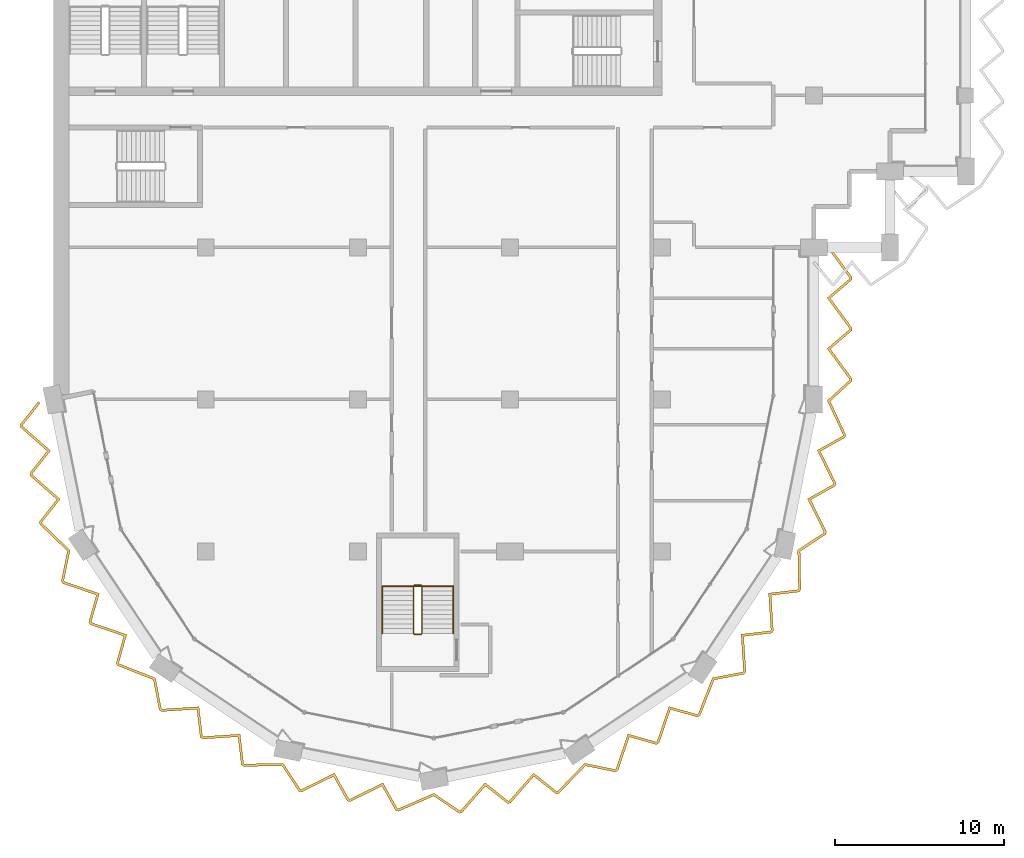
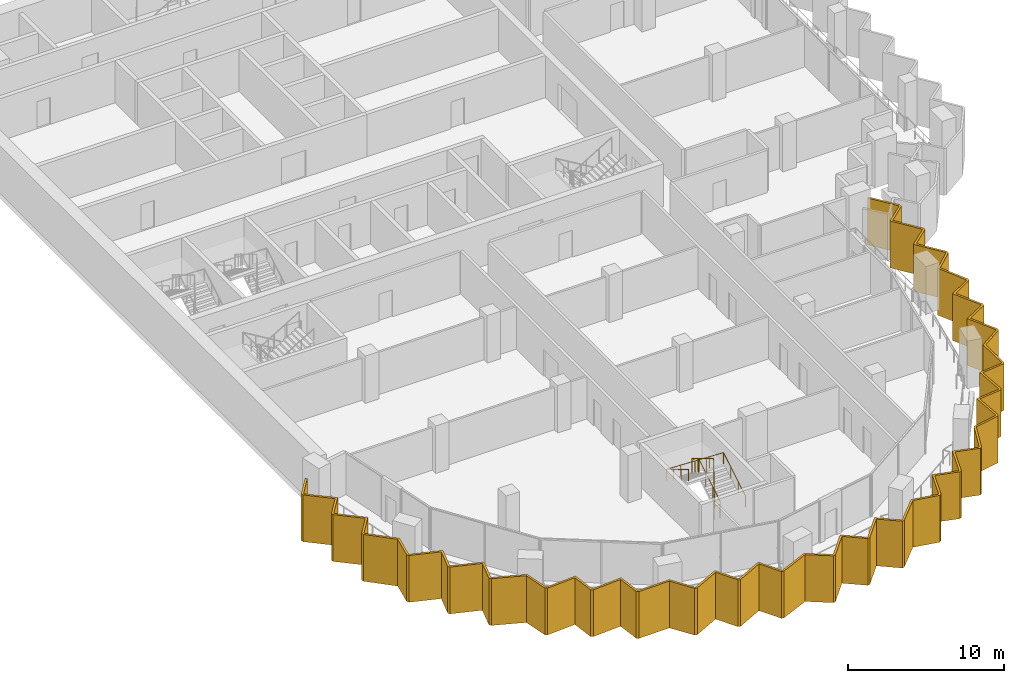
# One storey, part 13 of 16: 2 railings, 1 shading device.
"""IFC4 building model written with IfcOpenShell, lengths in metres."""

from ifc_helpers import new_model, si_unit, direction, frame, origin, origin_2d, place, context, subcontext, project, spatial, polyline, circle, outline, extrude, material, layer, layer_set, type_object, element, save


model = new_model("IFC4")

# Units and contexts
model_context = context("Model", 3, precision=1e-05, world=origin(), true_north=direction((0.0, 1.0)))
body_context = subcontext(model_context, "Body", "Model", "MODEL_VIEW")
ifc_project = project(units=[si_unit("LENGTHUNIT", "METRE"), si_unit("AREAUNIT", "SQUARE_METRE"), si_unit("VOLUMEUNIT", "CUBIC_METRE"), si_unit("PLANEANGLEUNIT", "RADIAN"), si_unit("MASSUNIT", "GRAM", prefix="KILO")], contexts=[model_context])

# Site, building, storey
site_placement = place(None, origin())
site = spatial("IfcSite", under=ifc_project, at=site_placement, CompositionType="ELEMENT")
building_placement = place(site_placement, origin())
building = spatial("IfcBuilding", under=site, at=building_placement, Name="Hunhe Ridgeline Campus", CompositionType="ELEMENT")
storey_placement = place(building_placement, frame((0.0, 0.0, 254.0)))
storey = spatial("IfcBuildingStorey", under=building, at=storey_placement, Name="L65", CompositionType="ELEMENT", Elevation=254.0)

# Shading device
ifc_material_1 = material(Name="Concrete C50", Category="concrete")
ifc_layer = layer(ifc_material_1, 0.14990234375)
ifc_layer_set = layer_set([ifc_layer], Name="Sawtooth concrete fin 150 Concrete C50")
shading_device_type = type_object("IfcShadingDeviceType", Name="Sawtooth concrete fin 150 Concrete C50", PredefinedType="USERDEFINED", material=ifc_layer_set)
shading_device_placement = place(storey_placement, frame((0.0, 0.0, -0.949951171875)))
element("IfcShadingDevice", 1, at=shading_device_placement, inside=storey, type_object=shading_device_type, Name="Concrete fin screen 1", ObjectType="FIN", PredefinedType="USERDEFINED", context=body_context, shape_type="SweptSolid", body=[
    extrude(outline(polyline([(-0.79931640625, 44.782958984375), (-0.9169921875, 44.875732421875), (-1.9970703125, 43.507080078125), (-1.9619140625, 43.330322265625), (-0.39013671875, 41.94970703125), (-1.42626953125, 40.636962890625), (-1.39111328125, 40.460205078125), (0.1806640625, 39.07958984375), (-0.855224609375, 37.7666015625), (-0.820556640625, 37.592041015625), (0.806640625, 36.02294921875), (0.440673828125, 34.2431640625), (0.5390625, 34.09619140625), (2.51953125, 33.42236328125), (2.064697265625, 31.812744140625), (2.164794921875, 31.6630859375), (4.145263671875, 30.989013671875), (3.690673828125, 29.379638671875), (3.78955078125, 29.2314453125), (5.893310546875, 28.404541015625), (6.236328125, 26.620361328125), (6.38330078125, 26.522216796875), (8.470947265625, 26.6572265625), (8.666748046875, 24.996337890625), (8.81640625, 24.896484375), (10.904052734375, 25.031494140625), (11.10009765625, 23.37060546875), (11.248046875, 23.271728515625), (13.50830078125, 23.312744140625), (14.5078125, 21.795654296875), (14.681396484375, 21.76123046875), (16.558349609375, 22.684814453125), (17.374755859375, 21.225341796875), (17.551513671875, 21.190185546875), (19.428466796875, 22.114013671875), (20.2451171875, 20.654541015625), (20.419677734375, 20.61962890625), (22.4921875, 21.522705078125), (23.99609375, 20.50341796875), (24.169677734375, 20.5380859375), (25.55029296875, 22.10986328125), (26.863037109375, 21.07373046875), (27.039794921875, 21.10888671875), (28.42041015625, 22.6806640625), (29.7333984375, 21.644775390625), (29.907958984375, 21.679443359375), (31.47705078125, 23.306640625), (33.2568359375, 22.940673828125), (33.40380859375, 23.0390625), (34.07763671875, 25.01953125), (35.687255859375, 24.564697265625), (35.8369140625, 24.664794921875), (36.510986328125, 26.645263671875), (38.120361328125, 26.190673828125), (38.2685546875, 26.28955078125), (39.095458984375, 28.393310546875), (40.879638671875, 28.736328125), (40.977783203125, 28.88330078125), (40.8427734375, 30.970947265625), (42.503662109375, 31.166748046875), (42.603515625, 31.31640625), (42.468505859375, 33.404052734375), (44.12939453125, 33.60009765625), (44.228271484375, 33.748046875), (44.187255859375, 36.00830078125), (45.704345703125, 37.0078125), (45.73876953125, 37.181396484375), (44.815185546875, 39.058349609375), (46.274658203125, 39.874755859375), (46.309814453125, 40.051513671875), (45.385986328125, 41.928466796875), (46.845458984375, 42.7451171875), (46.88037109375, 42.920654296875), (45.966064453125, 44.895751953125), (47.25, 46.076416015625), (47.25, 46.25390625), (45.976806640625, 47.98828125), (47.25, 49.07470703125), (47.25, 49.25390625), (45.976806640625, 50.98828125), (47.25, 52.07470703125), (47.25, 52.25390625), (45.935546875, 54.04443359375), (45.814453125, 53.95556640625), (47.10009765625, 52.204833984375), (47.10009765625, 52.143798828125), (45.773193359375, 51.01171875), (47.10009765625, 49.204833984375), (47.10009765625, 49.143798828125), (45.773193359375, 48.01171875), (47.10009765625, 46.204833984375), (47.10009765625, 46.142333984375), (45.783935546875, 44.931884765625), (46.723876953125, 42.90185546875), (46.7119140625, 42.842041015625), (45.1884765625, 41.989990234375), (46.15283203125, 40.03076171875), (46.14111328125, 39.971923828125), (44.61767578125, 39.119873046875), (45.581787109375, 37.16064453125), (45.569580078125, 37.0986328125), (44.035888671875, 36.088134765625), (44.077392578125, 33.79248046875), (44.043212890625, 33.740966796875), (42.3095703125, 33.536376953125), (42.45068359375, 31.357666015625), (42.417236328125, 31.3076171875), (40.683837890625, 31.103271484375), (40.824951171875, 28.92431640625), (40.789794921875, 28.871826171875), (38.986083984375, 28.525146484375), (38.14599609375, 26.38818359375), (38.094482421875, 26.353759765625), (36.414794921875, 26.828369140625), (35.711181640625, 24.76123046875), (35.661376953125, 24.72802734375), (33.981689453125, 25.202392578125), (33.278076171875, 23.135498046875), (33.2255859375, 23.100341796875), (31.426513671875, 23.47021484375), (29.83251953125, 21.8173828125), (29.77197265625, 21.805419921875), (28.401611328125, 22.886474609375), (26.960693359375, 21.24609375), (26.90185546875, 21.234375), (25.531494140625, 22.315673828125), (24.090576171875, 20.67529296875), (24.028564453125, 20.662841796875), (22.5078125, 21.693115234375), (20.40283203125, 20.776123046875), (20.342041015625, 20.7880859375), (19.489990234375, 22.3115234375), (17.53076171875, 21.34716796875), (17.471923828125, 21.35888671875), (16.619873046875, 22.88232421875), (14.66064453125, 21.918212890625), (14.5986328125, 21.930419921875), (13.588134765625, 23.464111328125), (11.29248046875, 23.422607421875), (11.240966796875, 23.456787109375), (11.036376953125, 25.1904296875), (8.857666015625, 25.04931640625), (8.8076171875, 25.082763671875), (8.603271484375, 26.816162109375), (6.42431640625, 26.675048828125), (6.371826171875, 26.710205078125), (6.025146484375, 28.513916015625), (3.88818359375, 29.35400390625), (3.853759765625, 29.405517578125), (4.328369140625, 31.085205078125), (2.26123046875, 31.788818359375), (2.22802734375, 31.838623046875), (2.702392578125, 33.518310546875), (0.635498046875, 34.221923828125), (0.600341796875, 34.2744140625), (0.97021484375, 36.073486328125), (-0.6826171875, 37.66748046875), (-0.694580078125, 37.72802734375), (0.386474609375, 39.098388671875), (-1.25390625, 40.539306640625), (-1.265625, 40.59814453125), (-0.184326171875, 41.968505859375), (-1.82470703125, 43.409423828125), (-1.83642578125, 43.46826171875), (-0.79931640625, 44.782958984375)])), origin(), (0.0, 0.0, 1.0), 3.64990234375),
])

# Railings
ifc_material_2 = material(Name="Stainless steel balustrade", Category="steel")
railing_type_1 = type_object("IfcRailingType", Name="Stair guard 1100 stainless", PredefinedType="GUARDRAIL", material=ifc_material_2)
railing_1_placement = place(storey_placement, frame((21.800048828125, 31.14990234375, 0.168212890625)))
element("IfcRailing", 2, at=railing_1_placement, inside=storey, type_object=railing_type_1, Name="L65 stair W3 guard", PredefinedType="GUARDRAIL", context=body_context, shape_type="SweptSolid", body=[
    extrude(circle(Radius=0.02392578125, at=origin_2d()), frame((0.0, 0.0, 1.076171875), z_axis=(0.0, 0.857242210791, 0.514913383045), x_axis=(-1.0, 0.0, 0.0)), (0.0, 0.0, 1.0), 3.266357421875),
    extrude(circle(Radius=0.02392578125, at=origin_2d()), frame((0.0, 2.800048828125, 2.7578125), z_axis=(-0.707106781187, 0.707106781187, 0.0), x_axis=(-0.707106781187, -0.707106781187, 0.0)), (0.0, 0.0, 1.0), 0.07080078125),
    extrude(circle(Radius=0.02392578125, at=origin_2d()), frame((-0.050048828125, 2.85009765625, 2.7578125), z_axis=(-1.0, 0.0, 0.0), x_axis=(0.0, -1.0, 0.0)), (0.0, 0.0, 1.0), 0.39990234375),
    extrude(circle(Radius=0.02392578125, at=origin_2d()), frame((-0.449951171875, 2.85009765625, 2.7578125), z_axis=(-0.274582412415, -0.274582412415, 0.921525364591), x_axis=(0.707106781187, -0.707106781187, 0.0)), (0.0, 0.0, 1.0), 0.182373046875),
    extrude(circle(Radius=0.02392578125, at=origin_2d()), frame((-0.5, 2.800048828125, 2.92578125), z_axis=(0.0, -0.857242210791, 0.514913383045), x_axis=(1.0, 0.0, 0.0)), (0.0, 0.0, 1.0), 3.266357421875),
    extrude(circle(Radius=0.02392578125, at=origin_2d()), frame((-0.5, 0.0, 4.60791015625), z_axis=(0.013524426427, -0.013458453615, -0.999817963389), x_axis=(0.705375805398, 0.708833529934, 0.0)), (0.0, 0.0, 1.0), 3.70068359375),
    extrude(circle(Radius=0.02392578125, at=origin_2d()), frame((-0.449951171875, -0.0498046875, 0.90771484375), z_axis=(1.0, 0.0, 0.0), x_axis=(0.0, 1.0, 0.0)), (0.0, 0.0, 1.0), 0.39990234375),
    extrude(circle(Radius=0.02099609375, at=origin_2d()), origin(), (0.0, 0.0, 1.0), 1.052001953125),
    extrude(circle(Radius=0.02099609375, at=origin_2d()), frame((0.0, 0.933349609375, 0.560546875)), (0.0, 0.0, 1.0), 1.052001953125),
    extrude(circle(Radius=0.02099609375, at=origin_2d()), frame((0.0, 1.86669921875, 1.121337890625)), (0.0, 0.0, 1.0), 1.052001953125),
    extrude(circle(Radius=0.02099609375, at=origin_2d()), frame((0.0, 2.800048828125, 1.681884765625)), (0.0, 0.0, 1.0), 1.052001953125),
    extrude(circle(Radius=0.02099609375, at=origin_2d()), frame((-0.050048828125, 2.85009765625, 1.681884765625)), (0.0, 0.0, 1.0), 1.052001953125),
    extrude(circle(Radius=0.02099609375, at=origin_2d()), frame((-0.449951171875, 2.85009765625, 1.681884765625)), (0.0, 0.0, 1.0), 1.052001953125),
    extrude(circle(Radius=0.02099609375, at=origin_2d()), frame((-0.5, 2.800048828125, 1.849853515625)), (0.0, 0.0, 1.0), 1.052001953125),
    extrude(circle(Radius=0.02099609375, at=origin_2d()), frame((-0.5, 1.86669921875, 2.410400390625)), (0.0, 0.0, 1.0), 1.052001953125),
    extrude(circle(Radius=0.02099609375, at=origin_2d()), frame((-0.5, 0.933349609375, 2.97119140625)), (0.0, 0.0, 1.0), 1.052001953125),
    extrude(circle(Radius=0.02099609375, at=origin_2d()), frame((-0.5, 0.0, 3.53173828125)), (0.0, 0.0, 1.0), 1.052001953125),
    extrude(circle(Radius=0.02099609375, at=origin_2d()), frame((-0.487548828125, -0.012451171875, 2.606689453125)), (0.0, 0.0, 1.0), 1.052001953125),
    extrude(circle(Radius=0.02099609375, at=origin_2d()), frame((-0.47509765625, -0.02490234375, 1.681640625)), (0.0, 0.0, 1.0), 1.052001953125),
    extrude(circle(Radius=0.02099609375, at=origin_2d()), frame((-0.46240234375, -0.037353515625, 0.7568359375)), (0.0, 0.0, 1.0), 1.052001953125),
    extrude(circle(Radius=0.02099609375, at=origin_2d()), frame((-0.449951171875, -0.0498046875, -0.168212890625)), (0.0, 0.0, 1.0), 1.052001953125),
    extrude(circle(Radius=0.02099609375, at=origin_2d()), frame((-0.050048828125, -0.0498046875, -0.168212890625)), (0.0, 0.0, 1.0), 1.052001953125),
])
ifc_material_3 = material(Name="Stainless steel handrail", Category="steel")
railing_type_2 = type_object("IfcRailingType", Name="Stair handrail 900 stainless", PredefinedType="HANDRAIL", material=ifc_material_3)
railing_2_placement = place(storey_placement, frame((23.64990234375, 31.14990234375, 0.168212890625)))
element("IfcRailing", 3, at=railing_2_placement, inside=storey, type_object=railing_type_2, Name="L65 stair W3 handrail", PredefinedType="HANDRAIL", context=body_context, shape_type="SweptSolid", body=[
    extrude(circle(Radius=0.02392578125, at=origin_2d()), frame((0.0, 0.0, 0.8759765625), z_axis=(0.0, 0.857242210791, 0.514913383045), x_axis=(-1.0, 0.0, 0.0)), (0.0, 0.0, 1.0), 3.266357421875),
    extrude(circle(Radius=0.02392578125, at=origin_2d()), frame((0.0, 2.800048828125, 2.5576171875), z_axis=(-0.99920123705, 0.0, 0.039961079526), x_axis=(0.0, -1.0, 0.0)), (0.0, 0.0, 1.0), 4.203369140625),
    extrude(circle(Radius=0.02392578125, at=origin_2d()), frame((-4.199951171875, 2.800048828125, 2.7255859375), z_axis=(0.0, -0.857242210791, 0.514913383045), x_axis=(1.0, 0.0, 0.0)), (0.0, 0.0, 1.0), 3.266357421875),
    extrude(circle(Radius=0.02099609375, at=origin_2d()), origin(), (0.0, 0.0, 1.0), 0.851806640625),
    extrude(circle(Radius=0.02099609375, at=origin_2d()), frame((0.0, 0.933349609375, 0.560546875)), (0.0, 0.0, 1.0), 0.851806640625),
    extrude(circle(Radius=0.02099609375, at=origin_2d()), frame((0.0, 1.86669921875, 1.121337890625)), (0.0, 0.0, 1.0), 0.851806640625),
    extrude(circle(Radius=0.02099609375, at=origin_2d()), frame((0.0, 2.800048828125, 1.681884765625)), (0.0, 0.0, 1.0), 0.851806640625),
    extrude(circle(Radius=0.02099609375, at=origin_2d()), frame((-1.050048828125, 2.800048828125, 1.723876953125)), (0.0, 0.0, 1.0), 0.851806640625),
    extrude(circle(Radius=0.02099609375, at=origin_2d()), frame((-2.10009765625, 2.800048828125, 1.765869140625)), (0.0, 0.0, 1.0), 0.851806640625),
    extrude(circle(Radius=0.02099609375, at=origin_2d()), frame((-3.14990234375, 2.800048828125, 1.807861328125)), (0.0, 0.0, 1.0), 0.851806640625),
    extrude(circle(Radius=0.02099609375, at=origin_2d()), frame((-4.199951171875, 2.800048828125, 1.849853515625)), (0.0, 0.0, 1.0), 0.851806640625),
    extrude(circle(Radius=0.02099609375, at=origin_2d()), frame((-4.199951171875, 1.86669921875, 2.410400390625)), (0.0, 0.0, 1.0), 0.851806640625),
    extrude(circle(Radius=0.02099609375, at=origin_2d()), frame((-4.199951171875, 0.933349609375, 2.97119140625)), (0.0, 0.0, 1.0), 0.851806640625),
    extrude(circle(Radius=0.02099609375, at=origin_2d()), frame((-4.199951171875, 0.0, 3.53173828125)), (0.0, 0.0, 1.0), 0.851806640625),
])

save(model, "model.ifc")
